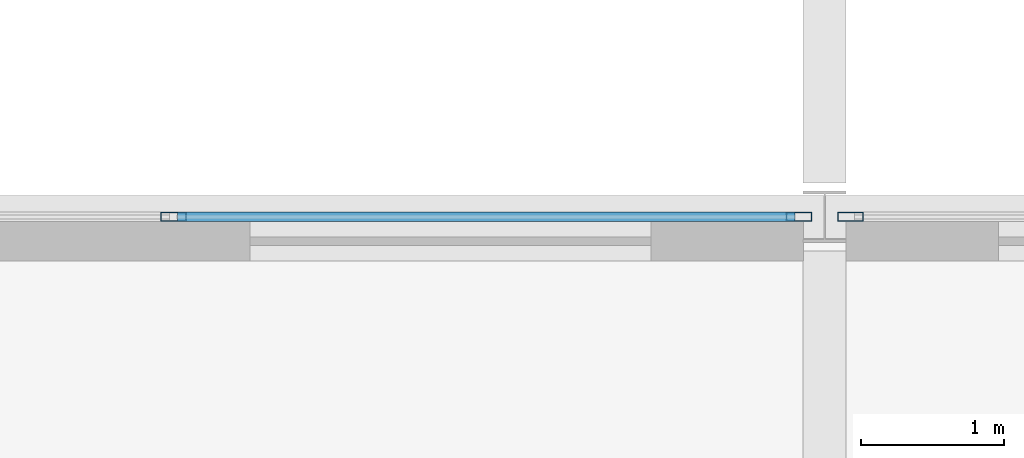
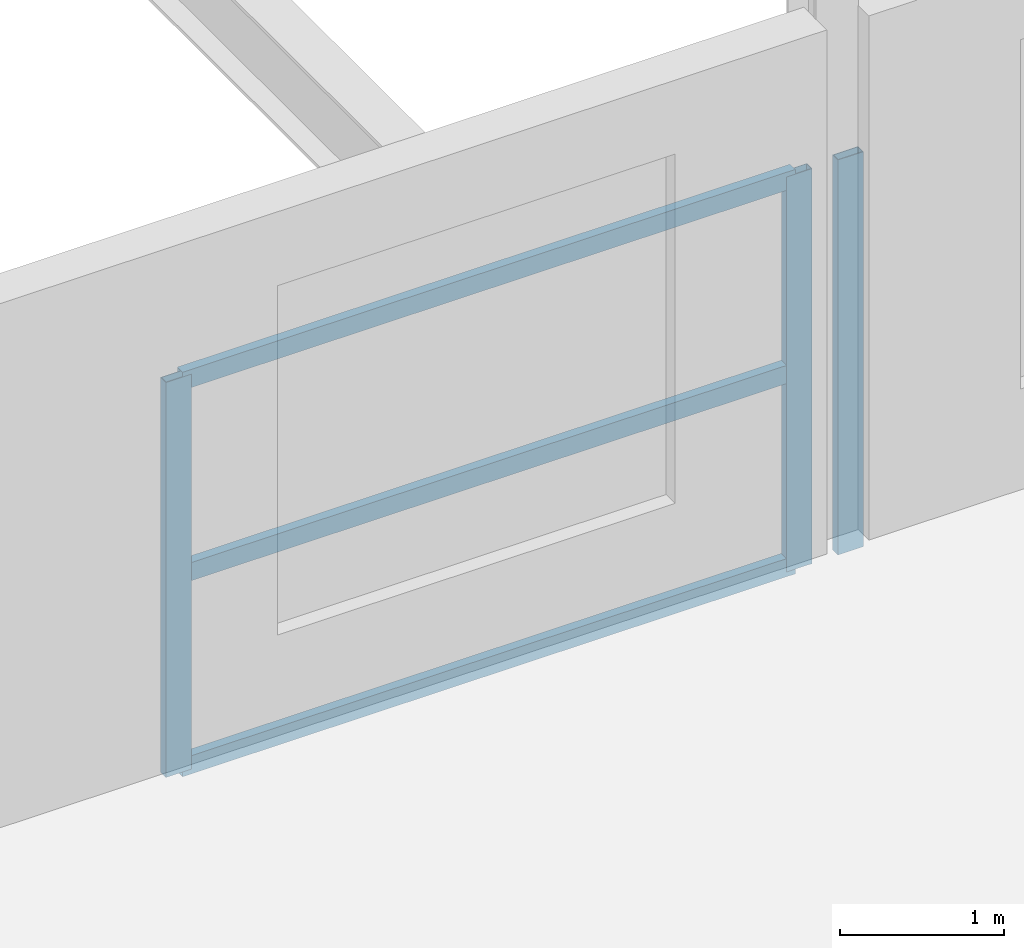
# One storey, part 91 of 134: 6 members, 2 elements without a shape of their own.
"""IFC4 building model written with IfcOpenShell, lengths in metres."""

from ifc_helpers import new_model, si_unit, direction, frame, origin, origin_2d, place, context, subcontext, project, spatial, hollow_rectangle, extrude, material, layer, layer_set, material_profile, profile_set, type_object, element, aggregate, save


model = new_model("IFC4")

# Units and contexts
model_context = context("Model", 3, precision=1e-05, world=origin(), true_north=direction((0.0, 1.0)))
body_context = subcontext(model_context, "Body", "Model", "MODEL_VIEW")
ifc_project = project(units=[si_unit("LENGTHUNIT", "METRE"), si_unit("AREAUNIT", "SQUARE_METRE"), si_unit("VOLUMEUNIT", "CUBIC_METRE"), si_unit("PLANEANGLEUNIT", "RADIAN"), si_unit("MASSUNIT", "GRAM", prefix="KILO")], contexts=[model_context])

# Site, building, storey
site_placement = place(None, origin())
site = spatial("IfcSite", under=ifc_project, at=site_placement, CompositionType="ELEMENT")
building_placement = place(site_placement, origin())
building = spatial("IfcBuilding", under=site, at=building_placement, Name="Tamarisk Ironworks Central Station", CompositionType="ELEMENT")
storey_placement = place(building_placement, frame((0.0, 0.0, 12.60009765625)))
storey = spatial("IfcBuildingStorey", under=building, at=storey_placement, Name="L02", CompositionType="ELEMENT", Elevation=12.60009765625)

# Curtain wall, members
ifc_material = material(Name="Anodized aluminium alloy 6063-T6", Category="aluminium")
ifc_layer = layer(ifc_material, 0.179931640625)
ifc_layer_set = layer_set([ifc_layer], Name="Anodized aluminium alloy 6063-T6")
curtain_wall_type = type_object("IfcCurtainWallType", Name="CW-07", PredefinedType="USERDEFINED", material=ifc_layer_set)
curtain_wall_1_placement = place(storey_placement, origin())
curtain_wall_1 = element("IfcCurtainWall", 1, at=curtain_wall_1_placement, inside=storey, type_object=curtain_wall_type, Name="Train shed ES clerestory curtain wall 153", ObjectType="GLAZED CURTAIN WALL", PredefinedType="USERDEFINED")
ifc_material_profile_1 = material_profile(ifc_material, hollow_rectangle(XDim=0.06494140625, YDim=0.179931640625, WallThickness=0.00390625, at=origin_2d()), Name="ALUM 180x65")
ifc_profile_set_1 = profile_set([ifc_material_profile_1], Name="Anodized aluminium alloy 6063-T6")
member_type_1 = type_object("IfcMemberType", Name="CWM-02", PredefinedType="MULLION", material=ifc_profile_set_1)
member_1_placement = place(storey_placement, frame((161.95068359375, 21.60009765625, -0.260009765625), z_axis=(0.0, 0.0, 1.0), x_axis=(0.0, 1.0, 0.0)))
member_1 = element("IfcMember", 2, at=member_1_placement, type_object=member_type_1, Name="CW07 mullion 3", PredefinedType="MULLION", context=body_context, shape_type="SweptSolid", body=[
    extrude(hollow_rectangle(XDim=0.06494140625, YDim=0.179931640625, WallThickness=0.00390625, at=origin_2d()), origin(), (0.0, 0.0, 1.0), 2.93994140625),
])
member_2_placement = place(storey_placement, frame((166.319580078125, 21.60009765625, -0.260009765625), z_axis=(0.0, 0.0, 1.0), x_axis=(0.0, 1.0, 0.0)))
member_2 = element("IfcMember", 3, at=member_2_placement, type_object=member_type_1, Name="CW07 mullion 4", PredefinedType="MULLION", context=body_context, shape_type="SweptSolid", body=[
    extrude(hollow_rectangle(XDim=0.06494140625, YDim=0.179931640625, WallThickness=0.00390625, at=origin_2d()), origin(), (0.0, 0.0, 1.0), 2.93994140625),
])

# Curtain wall, member
curtain_wall_2_placement = place(storey_placement, origin())
curtain_wall_2 = element("IfcCurtainWall", 4, at=curtain_wall_2_placement, inside=storey, type_object=curtain_wall_type, Name="Train shed ES clerestory curtain wall 166", ObjectType="GLAZED CURTAIN WALL", PredefinedType="USERDEFINED")
member_3_placement = place(storey_placement, frame((166.680419921875, 21.60009765625, -0.260009765625), z_axis=(0.0, 0.0, 1.0), x_axis=(0.0, 1.0, 0.0)))
member_3 = element("IfcMember", 5, at=member_3_placement, type_object=member_type_1, Name="CW07 mullion 1", PredefinedType="MULLION", context=body_context, shape_type="SweptSolid", body=[
    extrude(hollow_rectangle(XDim=0.06494140625, YDim=0.179931640625, WallThickness=0.00390625, at=origin_2d()), origin(), (0.0, 0.0, 1.0), 2.93994140625),
])
aggregate(curtain_wall_2, [member_3])

# Member
ifc_material_profile_2 = material_profile(ifc_material, hollow_rectangle(XDim=0.06494140625, YDim=0.135009765625, WallThickness=0.00341796875, at=origin_2d()), Name="ALUM 135x65")
ifc_profile_set_2 = profile_set([ifc_material_profile_2], Name="Anodized aluminium alloy 6063-T6")
member_type_2 = type_object("IfcMemberType", Name="CWT-02", PredefinedType="USERDEFINED", material=ifc_profile_set_2)
member_4_placement = place(storey_placement, frame((161.979248046875, 21.60009765625, -0.2275390625), z_axis=(1.0, 0.0, 0.0), x_axis=(0.0, 1.0, 0.0)))
member_4 = element("IfcMember", 6, at=member_4_placement, type_object=member_type_2, Name="CW07 transom 3.1", ObjectType="TRANSOM", PredefinedType="USERDEFINED", context=body_context, shape_type="SweptSolid", body=[
    extrude(hollow_rectangle(XDim=0.06494140625, YDim=0.135009765625, WallThickness=0.00341796875, at=origin_2d()), origin(), (0.0, 0.0, 1.0), 4.311767578125),
])

member_5_placement = place(storey_placement, frame((161.979248046875, 21.60009765625, 1.2099609375), z_axis=(1.0, 0.0, 0.0), x_axis=(0.0, 1.0, 0.0)))
member_5 = element("IfcMember", 7, at=member_5_placement, type_object=member_type_2, Name="CW07 transom 3.2", ObjectType="TRANSOM", PredefinedType="USERDEFINED", context=body_context, shape_type="SweptSolid", body=[
    extrude(hollow_rectangle(XDim=0.06494140625, YDim=0.135009765625, WallThickness=0.00341796875, at=origin_2d()), origin(), (0.0, 0.0, 1.0), 4.311767578125),
])

member_6_placement = place(storey_placement, frame((161.979248046875, 21.60009765625, 2.6474609375), z_axis=(1.0, 0.0, 0.0), x_axis=(0.0, 1.0, 0.0)))
member_6 = element("IfcMember", 8, at=member_6_placement, type_object=member_type_2, Name="CW07 transom 3.3", ObjectType="TRANSOM", PredefinedType="USERDEFINED", context=body_context, shape_type="SweptSolid", body=[
    extrude(hollow_rectangle(XDim=0.06494140625, YDim=0.135009765625, WallThickness=0.00341796875, at=origin_2d()), origin(), (0.0, 0.0, 1.0), 4.311767578125),
])

aggregate(curtain_wall_1, [member_1, member_2, member_4, member_5, member_6])

save(model, "model.ifc")
